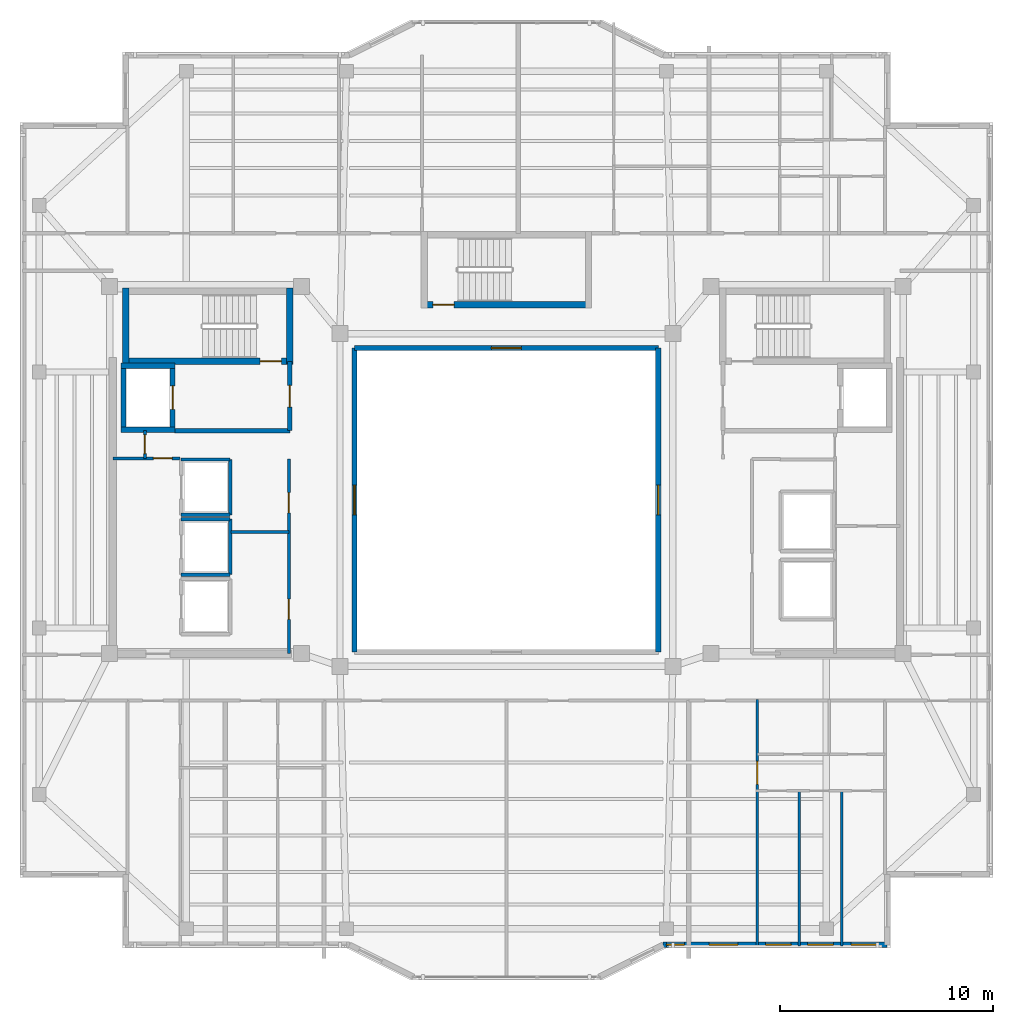
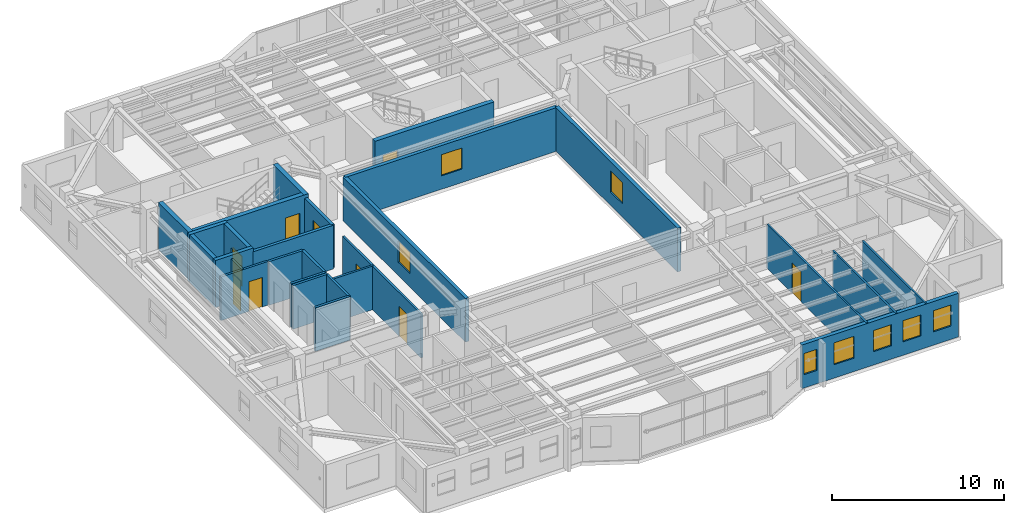
# One storey, part 7 of 14: 27 walls, 9 doors, 8 windows, 17 openings.
"""IFC4 building model written with IfcOpenShell, lengths in metres."""

import ifcopenshell
import ifcopenshell.guid

model = None  # the IFC model being written
_history = None  # IfcOwnerHistory: only IFC2X3 demands one
_inside = {}  # id of a spatial element -> (the spatial element, [elements in it])
_under = {}  # id of a project, library or spatial element -> (it, [spatial elements below it])
_declared = {}  # id of a project -> (the project, [libraries it declares])
_typed = {}  # id of a type object -> (the type object, [elements of that type])
_made_of = {}  # id of a material, layer set ... -> (it, [elements and type objects made of it])


def new_model(schema):
    """Start an empty IFC model of exactly this schema.

    Asked for "IFC4X3", IfcOpenShell would pick the latest addendum, in which some entities
    have other attributes; the version numbers below select the first issue.
    IFC2X3 requires an IfcOwnerHistory on every rooted entity: one is made here for all.
    """
    global model, _history
    if schema == "IFC4X3":
        model = ifcopenshell.file(schema_version=(4, 3, 0, 0))
    else:
        model = ifcopenshell.file(schema=schema)
    _inside.clear()
    _under.clear()
    _declared.clear()
    _typed.clear()
    _made_of.clear()
    _history = None
    if model.schema == "IFC2X3":
        org = make("IfcOrganization", Name="unknown")
        user = make(
            "IfcPersonAndOrganization",
            ThePerson=make("IfcPerson", FamilyName="unknown"),
            TheOrganization=org,
        )
        app = make(
            "IfcApplication",
            ApplicationDeveloper=org,
            Version="unknown",
            ApplicationFullName="unknown",
            ApplicationIdentifier="unknown",
        )
        _history = make(
            "IfcOwnerHistory",
            OwningUser=user,
            OwningApplication=app,
            ChangeAction="ADDED",
            CreationDate=0,
        )
    return model


def make(cls, **values):
    """One entity of the class cls with the attributes given. An attribute that is None is left unset."""
    return model.create_entity(
        cls, **{name: value for name, value in values.items() if value is not None}
    )


def rooted(cls, **values):
    """An entity with a GlobalId (a new one), such as an element, a storey or a relation."""
    return make(cls, GlobalId=ifcopenshell.guid.new(), OwnerHistory=_history, **values)


def si_unit(unit_type, name, prefix=None):
    """IfcSIUnit, for example si_unit("LENGTHUNIT", "METRE", prefix="MILLI")."""
    return make("IfcSIUnit", UnitType=unit_type, Prefix=prefix, Name=name)


def assignment(units):
    """IfcUnitAssignment: the units of a project."""
    return None if units is None else make("IfcUnitAssignment", Units=units)


def point(xyz):
    """IfcCartesianPoint."""
    return None if xyz is None else make("IfcCartesianPoint", Coordinates=xyz)


def direction(xyz):
    """IfcDirection."""
    return None if xyz is None else make("IfcDirection", DirectionRatios=xyz)


def frame(location, z_axis=None, x_axis=None):
    """IfcAxis2Placement3D, a coordinate frame: its origin and axes. An axis left out is left unset."""
    return make(
        "IfcAxis2Placement3D",
        Location=point(location),
        Axis=direction(z_axis),
        RefDirection=direction(x_axis),
    )


def frame_2d(location, x_axis=None):
    """IfcAxis2Placement2D, a coordinate frame in the plane: its origin and x axis."""
    return make(
        "IfcAxis2Placement2D", Location=point(location), RefDirection=direction(x_axis)
    )


def origin():
    """The frame at (0, 0, 0) with its axes left unset."""
    return frame((0.0, 0.0, 0.0))


def place(relative_to, where):
    """IfcLocalPlacement: puts the frame where relative to a parent placement (None: the world)."""
    return make(
        "IfcLocalPlacement", PlacementRelTo=relative_to, RelativePlacement=where
    )


def context(
    kind, dimensions, precision=None, world=None, true_north=None, identifier=None
):
    """IfcGeometricRepresentationContext, for example the 3D "Model" context."""
    return make(
        "IfcGeometricRepresentationContext",
        ContextIdentifier=identifier,
        ContextType=kind,
        CoordinateSpaceDimension=dimensions,
        Precision=precision,
        WorldCoordinateSystem=world,
        TrueNorth=true_north,
    )


def subcontext(parent, identifier, kind, view, scale=None):
    """IfcGeometricRepresentationSubContext, for example "Body" below "Model"."""
    return make(
        "IfcGeometricRepresentationSubContext",
        ContextIdentifier=identifier,
        ContextType=kind,
        ParentContext=parent,
        TargetScale=scale,
        TargetView=view,
    )


def project(units=None, contexts=None):
    """IfcProject with its units and contexts."""
    return rooted(
        "IfcProject",
        Name="project",
        RepresentationContexts=contexts,
        UnitsInContext=assignment(units),
    )


def spatial(cls, under=None, at=None, **own):
    """A site, building, storey or space (cls), placed at a placement, below another one or the project."""
    s = rooted(cls, ObjectPlacement=at, **own)
    if under is not None:
        _under.setdefault(under.id(), (under, []))[1].append(s)
    return s


def profile(cls, at=None, kind="AREA", **sizes):
    """A parametric profile (cls). Its sizes go by their IFC names, for example OverallWidth=200.0."""
    return make(cls, ProfileType=kind, Position=at, **sizes)


def rectangle(**sizes):
    """IfcRectangleProfileDef."""
    return profile("IfcRectangleProfileDef", **sizes)


def extrude(swept, where, along, depth):
    """IfcExtrudedAreaSolid: the profile swept, set in the frame where, extruded along a direction by depth."""
    return make(
        "IfcExtrudedAreaSolid",
        SweptArea=swept,
        Position=where,
        ExtrudedDirection=direction(along),
        Depth=depth,
    )


def shape(context_of_items, identifier, shape_type, items):
    """IfcShapeRepresentation: the items that make up one representation, for example the "Body"."""
    return make(
        "IfcShapeRepresentation",
        ContextOfItems=context_of_items,
        RepresentationIdentifier=identifier,
        RepresentationType=shape_type,
        Items=items,
    )


def material(Name=None, Category=None):
    """IfcMaterial."""
    return make("IfcMaterial", Name=Name, Category=Category)


def layer(
    of_material, thickness, ventilated=None, Name=None, Category=None, Priority=None
):
    """IfcMaterialLayer: one layer of a wall or slab, of a material (None: an air gap)."""
    return make(
        "IfcMaterialLayer",
        Material=of_material,
        LayerThickness=thickness,
        IsVentilated=ventilated,
        Name=Name,
        Category=Category,
        Priority=Priority,
    )


def layer_set(layers, Name=None):
    """IfcMaterialLayerSet."""
    return make("IfcMaterialLayerSet", MaterialLayers=layers, LayerSetName=Name)


def made_of(thing, what):
    """Note that an element or type object is made of a material, layer set ...; save() writes the relation."""
    if what is not None:
        _made_of.setdefault(what.id(), (what, []))[1].append(thing)
    return thing


def type_object(cls, material=None, **own):
    """A type object (cls), such as IfcWallType, which elements share."""
    return made_of(rooted(cls, **own), material)


def element(
    cls,
    number,
    at=None,
    inside=None,
    cuts=None,
    type_object=None,
    material=None,
    context=None,
    identifier="Body",
    shape_type=None,
    held_by="IfcProductDefinitionShape",
    body=None,
    shapes=None,
    **own,
):
    """One element of the class cls, such as IfcWall. Its Tag is "e" and its number.

    at: its placement. inside: the storey or other place that contains it. cuts: it is an
    opening in that element (IfcRelVoidsElement). A single representation is given by context,
    identifier, shape_type and body (its items); several are given by shapes. held_by: the class
    of the entity that holds the representations. save() writes the other relations.
    """
    e = rooted(cls, Tag="e%d" % number, ObjectPlacement=at, **own)
    if body is not None:
        shapes = [shape(context, identifier, shape_type, body)]
    if shapes is not None:
        e.Representation = make(held_by, Representations=shapes)
    if inside is not None:
        _inside.setdefault(inside.id(), (inside, []))[1].append(e)
    if cuts is not None:
        rooted(
            "IfcRelVoidsElement", RelatingBuildingElement=cuts, RelatedOpeningElement=e
        )
    if type_object is not None:
        _typed.setdefault(type_object.id(), (type_object, []))[1].append(e)
    return made_of(e, material)


def fill(opening, filler):
    """IfcRelFillsElement: the door or window that sits in an opening."""
    return rooted(
        "IfcRelFillsElement",
        RelatingOpeningElement=opening,
        RelatedBuildingElement=filler,
    )


def aggregate(whole, parts):
    """IfcRelAggregates: a whole, such as a stair, and the parts it consists of."""
    return rooted("IfcRelAggregates", RelatingObject=whole, RelatedObjects=parts)


def save(model, path):
    """Write the relations noted so far, then the file.

    IfcRelAggregates (storeys below a building ...), IfcRelContainedInSpatialStructure (elements
    in a storey), IfcRelDefinesByType, IfcRelAssociatesMaterial and IfcRelDeclares: one each for
    every whole, place, type object, material and project.
    """
    for whole, parts in _under.values():
        aggregate(whole, parts)
    for where, things in _inside.values():
        rooted(
            "IfcRelContainedInSpatialStructure",
            RelatedElements=things,
            RelatingStructure=where,
        )
    for kind, things in _typed.values():
        rooted("IfcRelDefinesByType", RelatedObjects=things, RelatingType=kind)
    for what, things in _made_of.values():
        rooted("IfcRelAssociatesMaterial", RelatedObjects=things, RelatingMaterial=what)
    for by, libraries in _declared.values():
        rooted("IfcRelDeclares", RelatingContext=by, RelatedDefinitions=libraries)
    model.write(path)


model = new_model("IFC4")

# Units and contexts
model_context = context("Model", 3, precision=1e-05, world=origin(), true_north=direction((0.0, 1.0)))
body_context = subcontext(model_context, "Body", "Model", "MODEL_VIEW")
ifc_project = project(units=[si_unit("LENGTHUNIT", "METRE"), si_unit("AREAUNIT", "SQUARE_METRE"), si_unit("VOLUMEUNIT", "CUBIC_METRE"), si_unit("PLANEANGLEUNIT", "RADIAN"), si_unit("MASSUNIT", "GRAM", prefix="KILO")], contexts=[model_context])

# Site, building, storey
site_placement = place(None, origin())
site = spatial("IfcSite", under=ifc_project, at=site_placement, CompositionType="ELEMENT")
building_placement = place(site_placement, origin())
building = spatial("IfcBuilding", under=site, at=building_placement, Name="Tarnavaz Court Tower", CompositionType="ELEMENT")
storey_placement = place(building_placement, frame((0.0, 0.0, 254.89990234375)))
storey = spatial("IfcBuildingStorey", under=building, at=storey_placement, Name="L69", CompositionType="ELEMENT", Elevation=254.89990234375)

# Wall
ifc_material_1 = material(Name="Concrete C50/60", Category="concrete")
ifc_layer_1 = layer(ifc_material_1, 0.25)
ifc_layer_set_1 = layer_set([ifc_layer_1], Name="Concrete C50/60")
wall_type_1 = type_object("IfcWallType", Name="WL-CORE-250-C50", PredefinedType="SHEAR", material=ifc_layer_set_1)
wall_1_placement = place(storey_placement, frame((-17.949951171875, 3.175048828125, 0.0), z_axis=(0.0, 0.0, 1.0), x_axis=(0.0, 1.0, 0.0)))
element("IfcWall", 1, at=wall_1_placement, inside=storey, type_object=wall_type_1, Name="L69 Lift FL-W1 Shaft Wall 017", PredefinedType="SHEAR", context=body_context, shape_type="SweptSolid", body=[
    extrude(rectangle(XDim=3.25, YDim=0.25, at=frame_2d((1.625, 0.0))), origin(), (0.0, 0.0, 1.0), 3.35009765625),
])

# Wall, opening, door
wall_2_placement = place(storey_placement, frame((-15.64990234375, 3.175048828125, 0.0), z_axis=(0.0, 0.0, 1.0), x_axis=(0.0, 1.0, 0.0)))
wall_2 = element("IfcWall", 2, at=wall_2_placement, inside=storey, type_object=wall_type_1, Name="L69 Lift FL-W1 Shaft Wall 018", PredefinedType="SHEAR", context=body_context, shape_type="SweptSolid", body=[
    extrude(rectangle(XDim=3.25, YDim=0.25, at=frame_2d((1.625, 0.0))), origin(), (0.0, 0.0, 1.0), 3.35009765625),
])
opening_1_placement = place(wall_2_placement, frame((1.074951171875, 0.0, 0.0)))
opening_1 = element("IfcOpeningElement", 3, at=opening_1_placement, cuts=wall_2, Name="Opening LD1", PredefinedType="OPENING", context=body_context, shape_type="SweptSolid", body=[
    extrude(rectangle(XDim=1.10009765625, YDim=2.14990234375, at=frame_2d((0.550048828125, 1.074951171875))), frame((0.0, 0.135009765625, 0.0), z_axis=(0.0, -1.0, 0.0), x_axis=(1.0, 0.0, 0.0)), (0.0, 0.0, 1.0), 0.27001953125),
])
ifc_material_2 = material(Name="Stainless Steel", Category="steel")
door_type_1 = type_object("IfcDoorType", Name="DR-LD-1100", OperationType="NOTDEFINED", PredefinedType="DOOR", material=ifc_material_2)
door_1_placement = place(opening_1_placement, origin())
door_1 = element("IfcDoor", 4, at=door_1_placement, inside=storey, type_object=door_type_1, Name="L69 Lift Landing Door LD-FL-W1", OperationType="SLIDING_TO_LEFT", OverallHeight=2.14990234375, OverallWidth=1.10009765625, PredefinedType="DOOR", context=body_context, shape_type="SweptSolid", body=[
    extrude(rectangle(XDim=1.10009765625, YDim=2.14990234375, at=frame_2d((0.550048828125, 1.074951171875))), frame((0.0, 0.02490234375, 0.0), z_axis=(0.0, -1.0, 0.0), x_axis=(1.0, 0.0, 0.0)), (0.0, 0.0, 1.0), 0.050048828125),
])
fill(opening_1, door_1)

# Walls
for number, where, z_axis, x_axis, name in (
    (5, (-18.074951171875, 3.300048828125, 0.0), (0.0, 0.0, 1.0), (1.0, 0.0, 0.0), "L69 Lift FL-W1 Shaft Wall 019"),
    (6, (-18.074951171875, 6.300048828125, 0.0), (0.0, 0.0, 1.0), (1.0, 0.0, 0.0), "L69 Lift FL-W1 Shaft Wall 020"),
):
    element("IfcWall", number, at=place(storey_placement, frame(where, z_axis=z_axis, x_axis=x_axis)), inside=storey, type_object=wall_type_1, Name=name, PredefinedType="SHEAR", context=body_context, shape_type="SweptSolid", body=[
        extrude(rectangle(XDim=2.550048828125, YDim=0.25, at=frame_2d((1.27490234375, 0.0))), origin(), (0.0, 0.0, 1.0), 3.35009765625),
    ])

# Wall, opening, door
ifc_layer_2 = layer(ifc_material_1, 0.300048828125)
ifc_layer_set_2 = layer_set([ifc_layer_2], Name="Concrete C50/60")
wall_type_2 = type_object("IfcWallType", Name="WL-CORE-300-C50", PredefinedType="SHEAR", material=ifc_layer_set_2)
wall_3_placement = place(storey_placement, frame((-18.0, 6.5, 0.0), z_axis=(0.0, 0.0, 1.0), x_axis=(1.0, 0.0, 0.0)))
wall_3 = element("IfcWall", 7, at=wall_3_placement, inside=storey, type_object=wall_type_2, Name="L69 West Stair Core Wall 002", PredefinedType="SHEAR", context=body_context, shape_type="SweptSolid", body=[
    extrude(rectangle(XDim=8.0, YDim=0.300048828125, at=frame_2d((4.0, 0.0))), origin(), (0.0, 0.0, 1.0), 3.35009765625),
])
opening_2_placement = place(wall_3_placement, frame((6.449951171875, 0.0, 0.0)))
opening_2 = element("IfcOpeningElement", 8, at=opening_2_placement, cuts=wall_3, Name="Opening D01", PredefinedType="OPENING", context=body_context, shape_type="SweptSolid", body=[
    extrude(rectangle(XDim=1.0, YDim=2.14990234375, at=frame_2d((0.5, 1.074951171875))), frame((0.0, 0.159912109375, 0.0), z_axis=(0.0, -1.0, 0.0), x_axis=(1.0, 0.0, 0.0)), (0.0, 0.0, 1.0), 0.320068359375),
])
ifc_material_3 = material(Name="Fire-Rated Hardwood Timber Core", Category="wood")
door_type_2 = type_object("IfcDoorType", Name="DR-FD90-1000", OperationType="NOTDEFINED", PredefinedType="DOOR", material=ifc_material_3)
door_2_placement = place(opening_2_placement, origin())
door_2 = element("IfcDoor", 9, at=door_2_placement, inside=storey, type_object=door_type_2, Name="L69 Stair ST-W1 Exit Door", OperationType="SINGLE_SWING_LEFT", OverallHeight=2.14990234375, OverallWidth=1.0, PredefinedType="DOOR", context=body_context, shape_type="SweptSolid", body=[
    extrude(rectangle(XDim=1.0, YDim=2.14990234375, at=frame_2d((0.5, 1.074951171875))), frame((0.0, 0.02490234375, 0.0), z_axis=(0.0, -1.0, 0.0), x_axis=(1.0, 0.0, 0.0)), (0.0, 0.0, 1.0), 0.050048828125),
])
fill(opening_2, door_2)

# Walls
for number, where, z_axis, x_axis, name in (
    (10, (-17.85009765625, 6.35009765625, 0.0), (0.0, 0.0, 1.0), (0.0, 1.0, 0.0), "L69 West Stair Core Wall 003"),
    (11, (-10.14990234375, 6.35009765625, 0.0), (0.0, 0.0, 1.0), (0.0, 1.0, 0.0), "L69 West Stair Core Wall 004"),
):
    element("IfcWall", number, at=place(storey_placement, frame(where, z_axis=z_axis, x_axis=x_axis)), inside=storey, type_object=wall_type_2, Name=name, PredefinedType="SHEAR", context=body_context, shape_type="SweptSolid", body=[
        extrude(rectangle(XDim=3.58984375, YDim=0.300048828125, at=frame_2d((1.794921875, 0.0))), origin(), (0.0, 0.0, 1.0), 3.35009765625),
    ])

# Wall, opening, door
wall_4_placement = place(storey_placement, frame((-4.0, 9.14990234375, 0.0), z_axis=(0.0, 0.0, 1.0), x_axis=(1.0, 0.0, 0.0)))
wall_4 = element("IfcWall", 12, at=wall_4_placement, inside=storey, type_object=wall_type_2, Name="L69 North Stair Core Wall 010", PredefinedType="SHEAR", context=body_context, shape_type="SweptSolid", body=[
    extrude(rectangle(XDim=8.0, YDim=0.300048828125, at=frame_2d((4.0, 0.0))), origin(), (0.0, 0.0, 1.0), 3.35009765625),
])
opening_3_placement = place(wall_4_placement, frame((0.550048828125, 0.0, 0.0)))
opening_3 = element("IfcOpeningElement", 13, at=opening_3_placement, cuts=wall_4, Name="Opening D01", PredefinedType="OPENING", context=body_context, shape_type="SweptSolid", body=[
    extrude(rectangle(XDim=1.0, YDim=2.14990234375, at=frame_2d((0.5, 1.074951171875))), frame((0.0, 0.159912109375, 0.0), z_axis=(0.0, -1.0, 0.0), x_axis=(1.0, 0.0, 0.0)), (0.0, 0.0, 1.0), 0.320068359375),
])
door_3_placement = place(opening_3_placement, origin())
door_3 = element("IfcDoor", 14, at=door_3_placement, inside=storey, type_object=door_type_2, Name="L69 Stair ST-N1 Exit Door", OperationType="SINGLE_SWING_LEFT", OverallHeight=2.14990234375, OverallWidth=1.0, PredefinedType="DOOR", context=body_context, shape_type="SweptSolid", body=[
    extrude(rectangle(XDim=1.0, YDim=2.14990234375, at=frame_2d((0.5, 1.074951171875))), frame((0.0, 0.02490234375, 0.0), z_axis=(0.0, -1.0, 0.0), x_axis=(1.0, 0.0, 0.0)), (0.0, 0.0, 1.0), 0.050048828125),
])
fill(opening_3, door_3)

# Wall, openings, windows
ifc_material_4 = material(Name="Precast Concrete C40/50", Category="concrete")
ifc_layer_3 = layer(ifc_material_4, 0.260009765625)
ifc_layer_set_3 = layer_set([ifc_layer_3], Name="Precast Concrete C40/50")
wall_type_3 = type_object("IfcWallType", Name="WL-EXT-260", PredefinedType="SOLIDWALL", material=ifc_layer_set_3)
wall_5_placement = place(storey_placement, frame((17.85009765625, -20.85009765625, 0.0), z_axis=(0.0, 0.0, 1.0), x_axis=(-1.0, 0.0, 0.0)))
wall_5 = element("IfcWall", 15, at=wall_5_placement, inside=storey, type_object=wall_type_3, Name="L69 Exterior Terracotta Facade Wall 15", PredefinedType="SOLIDWALL", context=body_context, shape_type="SweptSolid", body=[
    extrude(rectangle(XDim=10.5, YDim=0.260009765625, at=frame_2d((5.25, 0.0))), origin(), (0.0, 0.0, 1.0), 3.10009765625),
])
opening_4_placement = place(wall_5_placement, frame((0.488525390625, 0.0, 0.949951171875)))
opening_4 = element("IfcOpeningElement", 16, at=opening_4_placement, cuts=wall_5, Name="Opening W05", PredefinedType="OPENING", context=body_context, shape_type="SweptSolid", body=[
    extrude(rectangle(XDim=1.199951171875, YDim=1.5, at=frame_2d((0.60009765625, 0.75))), frame((0.0, 0.139892578125, 0.0), z_axis=(0.0, -1.0, 0.0), x_axis=(1.0, 0.0, 0.0)), (0.0, 0.0, 1.0), 0.280029296875),
])
opening_5_placement = place(wall_5_placement, frame((2.52490234375, 0.0, 0.949951171875)))
opening_5 = element("IfcOpeningElement", 17, at=opening_5_placement, cuts=wall_5, Name="Opening W05", PredefinedType="OPENING", context=body_context, shape_type="SweptSolid", body=[
    extrude(rectangle(XDim=1.199951171875, YDim=1.5, at=frame_2d((0.60009765625, 0.75))), frame((0.0, 0.139892578125, 0.0), z_axis=(0.0, -1.0, 0.0), x_axis=(1.0, 0.0, 0.0)), (0.0, 0.0, 1.0), 0.280029296875),
])
opening_6_placement = place(wall_5_placement, frame((4.50146484375, 0.0, 0.949951171875)))
opening_6 = element("IfcOpeningElement", 18, at=opening_6_placement, cuts=wall_5, Name="Opening W05", PredefinedType="OPENING", context=body_context, shape_type="SweptSolid", body=[
    extrude(rectangle(XDim=1.199951171875, YDim=1.5, at=frame_2d((0.60009765625, 0.75))), frame((0.0, 0.139892578125, 0.0), z_axis=(0.0, -1.0, 0.0), x_axis=(1.0, 0.0, 0.0)), (0.0, 0.0, 1.0), 0.280029296875),
])
opening_7_placement = place(wall_5_placement, frame((7.0, 0.0, 0.949951171875)))
opening_7 = element("IfcOpeningElement", 19, at=opening_7_placement, cuts=wall_5, Name="Opening W04", PredefinedType="OPENING", context=body_context, shape_type="SweptSolid", body=[
    extrude(rectangle(XDim=1.35009765625, YDim=1.550048828125, at=frame_2d((0.675048828125, 0.77490234375))), frame((0.0, 0.139892578125, 0.0), z_axis=(0.0, -1.0, 0.0), x_axis=(1.0, 0.0, 0.0)), (0.0, 0.0, 1.0), 0.280029296875),
])
opening_8_placement = place(wall_5_placement, frame((9.5048828125, 0.0, 0.949951171875)))
opening_8 = element("IfcOpeningElement", 20, at=opening_8_placement, cuts=wall_5, Name="Opening W15", PredefinedType="OPENING", context=body_context, shape_type="SweptSolid", body=[
    extrude(rectangle(XDim=0.85009765625, YDim=1.5, at=frame_2d((0.425048828125, 0.75))), frame((0.0, 0.139892578125, 0.0), z_axis=(0.0, -1.0, 0.0), x_axis=(1.0, 0.0, 0.0)), (0.0, 0.0, 1.0), 0.280029296875),
])
ifc_material_5 = material(Name="Double-Glazed Solar Low-E Glass", Category="glass")
window_type_1 = type_object("IfcWindowType", Name="WN-APT-1200", PartitioningType="SINGLE_PANEL", PredefinedType="WINDOW", material=ifc_material_5)
window_1_placement = place(opening_4_placement, origin())
window_1 = element("IfcWindow", 21, at=window_1_placement, inside=storey, type_object=window_type_1, Name="L69 Flat 05 Bedroom 3 Window", OverallHeight=1.5, OverallWidth=1.199951171875, PartitioningType="SINGLE_PANEL", PredefinedType="WINDOW", context=body_context, shape_type="SweptSolid", body=[
    extrude(rectangle(XDim=1.199951171875, YDim=1.5, at=frame_2d((0.60009765625, 0.75))), frame((0.0, 0.030029296875, 0.0), z_axis=(0.0, -1.0, 0.0), x_axis=(1.0, 0.0, 0.0)), (0.0, 0.0, 1.0), 0.06005859375),
])
fill(opening_4, window_1)
window_2_placement = place(opening_5_placement, origin())
window_2 = element("IfcWindow", 22, at=window_2_placement, inside=storey, type_object=window_type_1, Name="L69 Flat 05 Bedroom 2 Window", OverallHeight=1.5, OverallWidth=1.199951171875, PartitioningType="SINGLE_PANEL", PredefinedType="WINDOW", context=body_context, shape_type="SweptSolid", body=[
    extrude(rectangle(XDim=1.199951171875, YDim=1.5, at=frame_2d((0.60009765625, 0.75))), frame((0.0, 0.030029296875, 0.0), z_axis=(0.0, -1.0, 0.0), x_axis=(1.0, 0.0, 0.0)), (0.0, 0.0, 1.0), 0.06005859375),
])
fill(opening_5, window_2)
window_3_placement = place(opening_6_placement, origin())
window_3 = element("IfcWindow", 23, at=window_3_placement, inside=storey, type_object=window_type_1, Name="L69 Flat 05 Principal Bedroom Window", OverallHeight=1.5, OverallWidth=1.199951171875, PartitioningType="SINGLE_PANEL", PredefinedType="WINDOW", context=body_context, shape_type="SweptSolid", body=[
    extrude(rectangle(XDim=1.199951171875, YDim=1.5, at=frame_2d((0.60009765625, 0.75))), frame((0.0, 0.030029296875, 0.0), z_axis=(0.0, -1.0, 0.0), x_axis=(1.0, 0.0, 0.0)), (0.0, 0.0, 1.0), 0.06005859375),
])
fill(opening_6, window_3)
window_type_2 = type_object("IfcWindowType", Name="WN-APT-1350", PartitioningType="SINGLE_PANEL", PredefinedType="WINDOW", material=ifc_material_5)
window_4_placement = place(opening_7_placement, origin())
window_4 = element("IfcWindow", 24, at=window_4_placement, inside=storey, type_object=window_type_2, Name="L69 Flat 05 Living and Dining Room Window", OverallHeight=1.550048828125, OverallWidth=1.35009765625, PartitioningType="SINGLE_PANEL", PredefinedType="WINDOW", context=body_context, shape_type="SweptSolid", body=[
    extrude(rectangle(XDim=1.35009765625, YDim=1.550048828125, at=frame_2d((0.675048828125, 0.77490234375))), frame((0.0, 0.030029296875, 0.0), z_axis=(0.0, -1.0, 0.0), x_axis=(1.0, 0.0, 0.0)), (0.0, 0.0, 1.0), 0.06005859375),
])
fill(opening_7, window_4)
window_type_3 = type_object("IfcWindowType", Name="WN-APT-850", PartitioningType="SINGLE_PANEL", PredefinedType="WINDOW", material=ifc_material_5)
window_5_placement = place(opening_8_placement, origin())
window_5 = element("IfcWindow", 25, at=window_5_placement, inside=storey, type_object=window_type_3, Name="L69 South Courtyard Reading Room Window", OverallHeight=1.5, OverallWidth=0.85009765625, PartitioningType="SINGLE_PANEL", PredefinedType="WINDOW", context=body_context, shape_type="SweptSolid", body=[
    extrude(rectangle(XDim=0.85009765625, YDim=1.5, at=frame_2d((0.425048828125, 0.75))), frame((0.0, 0.030029296875, 0.0), z_axis=(0.0, -1.0, 0.0), x_axis=(1.0, 0.0, 0.0)), (0.0, 0.0, 1.0), 0.06005859375),
])
fill(opening_8, window_5)

# Wall
ifc_material_6 = material(Name="Autoclaved Aerated Concrete Blockwork", Category="masonry")
ifc_layer_4 = layer(ifc_material_6, 0.199951171875)
ifc_layer_set_4 = layer_set([ifc_layer_4], Name="Autoclaved Aerated Concrete Blockwork")
wall_type_4 = type_object("IfcWallType", Name="WL-FIRE-200", PredefinedType="SOLIDWALL", material=ifc_layer_set_4)
wall_6_placement = place(storey_placement, frame((-15.550048828125, 3.25, 0.0), z_axis=(0.0, 0.0, 1.0), x_axis=(1.0, 0.0, 0.0)))
element("IfcWall", 26, at=wall_6_placement, inside=storey, type_object=wall_type_4, Name="L69 West Firefighting Lobby Wall 013", PredefinedType="SOLIDWALL", context=body_context, shape_type="SweptSolid", body=[
    extrude(rectangle(XDim=5.400146484375, YDim=0.199951171875, at=frame_2d((2.7001953125, 0.0))), origin(), (0.0, 0.0, 1.0), 3.10009765625),
])

# Wall, opening, door
wall_7_placement = place(storey_placement, frame((-10.14990234375, 3.25, 0.0), z_axis=(0.0, 0.0, 1.0), x_axis=(0.0, 1.0, 0.0)))
wall_7 = element("IfcWall", 27, at=wall_7_placement, inside=storey, type_object=wall_type_4, Name="L69 West Firefighting Lobby Wall 014", PredefinedType="SOLIDWALL", context=body_context, shape_type="SweptSolid", body=[
    extrude(rectangle(XDim=3.25, YDim=0.199951171875, at=frame_2d((1.625, 0.0))), origin(), (0.0, 0.0, 1.0), 3.10009765625),
])
opening_9_placement = place(wall_7_placement, frame((1.10009765625, 0.0, 0.0)))
opening_9 = element("IfcOpeningElement", 28, at=opening_9_placement, cuts=wall_7, Name="Opening D05", PredefinedType="OPENING", context=body_context, shape_type="SweptSolid", body=[
    extrude(rectangle(XDim=1.02001953125, YDim=2.14990234375, at=frame_2d((0.510009765625, 1.074951171875))), frame((0.0, 0.10986328125, 0.0), z_axis=(0.0, -1.0, 0.0), x_axis=(1.0, 0.0, 0.0)), (0.0, 0.0, 1.0), 0.219970703125),
])
door_type_3 = type_object("IfcDoorType", Name="DR-FD60-1000", OperationType="NOTDEFINED", PredefinedType="DOOR", material=ifc_material_3)
door_4_placement = place(opening_9_placement, origin())
door_4 = element("IfcDoor", 29, at=door_4_placement, inside=storey, type_object=door_type_3, Name="L69 West Firefighting Lobby Door", OperationType="SINGLE_SWING_RIGHT", OverallHeight=2.14990234375, OverallWidth=1.02001953125, PredefinedType="DOOR", context=body_context, shape_type="SweptSolid", body=[
    extrude(rectangle(XDim=1.02001953125, YDim=2.14990234375, at=frame_2d((0.510009765625, 1.074951171875))), frame((0.0, 0.02490234375, 0.0), z_axis=(0.0, -1.0, 0.0), x_axis=(1.0, 0.0, 0.0)), (0.0, 0.0, 1.0), 0.050048828125),
])
fill(opening_9, door_4)

ifc_material_7 = material(Name="Moisture-Resistant Gypsum Board Partition", Category="masonry")
ifc_layer_5 = layer(ifc_material_7, 0.1201171875)
ifc_layer_set_5 = layer_set([ifc_layer_5], Name="Moisture-Resistant Gypsum Board Partition")
wall_type_5 = type_object("IfcWallType", Name="WL-PART-120", PredefinedType="PARTITIONING", material=ifc_layer_set_5)
wall_8_placement = place(storey_placement, frame((11.760009765625, -20.89990234375, 0.0), z_axis=(0.0, 0.0, 1.0), x_axis=(0.0, 1.0, 0.0)))
wall_8 = element("IfcWall", 30, at=wall_8_placement, inside=storey, type_object=wall_type_5, Name="L69 Interior Partition 085", PredefinedType="PARTITIONING", context=body_context, shape_type="SweptSolid", body=[
    extrude(rectangle(XDim=11.559814453125, YDim=0.1201171875, at=frame_2d((5.77978515625, 0.0))), origin(), (0.0, 0.0, 1.0), 3.10009765625),
])
opening_10_placement = place(wall_8_placement, frame((7.56494140625, 0.0, 0.0)))
opening_10 = element("IfcOpeningElement", 31, at=opening_10_placement, cuts=wall_8, Name="Opening D12", PredefinedType="OPENING", context=body_context, shape_type="SweptSolid", body=[
    extrude(rectangle(XDim=1.080078125, YDim=2.14990234375, at=frame_2d((0.5400390625, 1.074951171875))), frame((0.0, 0.070068359375, 0.0), z_axis=(0.0, -1.0, 0.0), x_axis=(1.0, 0.0, 0.0)), (0.0, 0.0, 1.0), 0.14013671875),
])
ifc_material_8 = material(Name="Engineered Oak Timber", Category="wood")
door_type_4 = type_object("IfcDoorType", Name="DR-INT-1100", OperationType="NOTDEFINED", PredefinedType="DOOR", material=ifc_material_8)
door_5_placement = place(opening_10_placement, origin())
door_5 = element("IfcDoor", 32, at=door_5_placement, inside=storey, type_object=door_type_4, Name="L69 Flat 05 Foyer Door", OperationType="SINGLE_SWING_RIGHT", OverallHeight=2.14990234375, OverallWidth=1.080078125, PredefinedType="DOOR", context=body_context, shape_type="SweptSolid", body=[
    extrude(rectangle(XDim=1.080078125, YDim=2.14990234375, at=frame_2d((0.5400390625, 1.074951171875))), frame((0.0, 0.02490234375, 0.0), z_axis=(0.0, -1.0, 0.0), x_axis=(1.0, 0.0, 0.0)), (0.0, 0.0, 1.0), 0.050048828125),
])
fill(opening_10, door_5)

# Walls
for number, where, z_axis, x_axis, name in (
    (33, (13.737060546875, -20.89990234375, 0.0), (0.0, 0.0, 1.0), (0.0, 1.0, 0.0), "L69 Interior Partition 090"),
    (34, (15.712890625, -20.89990234375, 0.0), (0.0, 0.0, 1.0), (0.0, 1.0, 0.0), "L69 Interior Partition 091"),
):
    element("IfcWall", number, at=place(storey_placement, frame(where, z_axis=z_axis, x_axis=x_axis)), inside=storey, type_object=wall_type_5, Name=name, PredefinedType="PARTITIONING", context=body_context, shape_type="SweptSolid", body=[
        extrude(rectangle(XDim=7.33984375, YDim=0.1201171875, at=frame_2d((3.669921875, 0.0))), origin(), (0.0, 0.0, 1.0), 3.10009765625),
    ])

# Wall, opening, door
ifc_material_9 = material(Name="Gypsum Plasterboard Acoustic Partition", Category="masonry")
ifc_layer_6 = layer(ifc_material_9, 0.139892578125)
ifc_layer_set_6 = layer_set([ifc_layer_6], Name="Gypsum Plasterboard Acoustic Partition")
wall_type_6 = type_object("IfcWallType", Name="WL-PART-150", PredefinedType="PARTITIONING", material=ifc_layer_set_6)
wall_9_placement = place(storey_placement, frame((-18.449951171875, 1.949951171875, 0.0), z_axis=(0.0, 0.0, 1.0), x_axis=(1.0, 0.0, 0.0)))
wall_9 = element("IfcWall", 35, at=wall_9_placement, inside=storey, type_object=wall_type_6, Name="L69 Interior Partition 049", PredefinedType="PARTITIONING", context=body_context, shape_type="SweptSolid", body=[
    extrude(rectangle(XDim=3.14990234375, YDim=0.139892578125, at=frame_2d((1.574951171875, 0.0))), origin(), (0.0, 0.0, 1.0), 3.10009765625),
])
opening_11_placement = place(wall_9_placement, frame((1.89990234375, 0.0, 0.0)))
opening_11 = element("IfcOpeningElement", 36, at=opening_11_placement, cuts=wall_9, Name="Opening D14", PredefinedType="OPENING", context=body_context, shape_type="SweptSolid", body=[
    extrude(rectangle(XDim=0.8798828125, YDim=2.10009765625, at=frame_2d((0.43994140625, 1.050048828125))), frame((0.0, 0.079833984375, 0.0), z_axis=(0.0, -1.0, 0.0), x_axis=(1.0, 0.0, 0.0)), (0.0, 0.0, 1.0), 0.159912109375),
])
door_type_5 = type_object("IfcDoorType", Name="DR-INT-900", OperationType="NOTDEFINED", PredefinedType="DOOR", material=ifc_material_8)
door_6_placement = place(opening_11_placement, origin())
door_6 = element("IfcDoor", 37, at=door_6_placement, inside=storey, type_object=door_type_5, Name="L69 West Sky Switchgear Door", OperationType="SINGLE_SWING_RIGHT", OverallHeight=2.10009765625, OverallWidth=0.8798828125, PredefinedType="DOOR", context=body_context, shape_type="SweptSolid", body=[
    extrude(rectangle(XDim=0.8798828125, YDim=2.10009765625, at=frame_2d((0.43994140625, 1.050048828125))), frame((0.0, 0.02490234375, 0.0), z_axis=(0.0, -1.0, 0.0), x_axis=(1.0, 0.0, 0.0)), (0.0, 0.0, 1.0), 0.050048828125),
])
fill(opening_11, door_6)

wall_10_placement = place(storey_placement, frame((-16.949951171875, 1.949951171875, 0.0), z_axis=(0.0, 0.0, 1.0), x_axis=(0.0, 1.0, 0.0)))
wall_10 = element("IfcWall", 38, at=wall_10_placement, inside=storey, type_object=wall_type_6, Name="L69 Interior Partition 050", PredefinedType="PARTITIONING", context=body_context, shape_type="SweptSolid", body=[
    extrude(rectangle(XDim=1.300048828125, YDim=0.139892578125, at=frame_2d((0.64990234375, 0.0))), origin(), (0.0, 0.0, 1.0), 3.10009765625),
])
opening_12_placement = place(wall_10_placement, frame((0.219970703125, 0.0, 0.0)))
opening_12 = element("IfcOpeningElement", 39, at=opening_12_placement, cuts=wall_10, Name="Opening D14", PredefinedType="OPENING", context=body_context, shape_type="SweptSolid", body=[
    extrude(rectangle(XDim=0.8798828125, YDim=2.10009765625, at=frame_2d((0.43994140625, 1.050048828125))), frame((0.0, 0.079833984375, 0.0), z_axis=(0.0, -1.0, 0.0), x_axis=(1.0, 0.0, 0.0)), (0.0, 0.0, 1.0), 0.159912109375),
])
door_7_placement = place(opening_12_placement, origin())
door_7 = element("IfcDoor", 40, at=door_7_placement, inside=storey, type_object=door_type_5, Name="L69 West Sky Telecom Door", OperationType="SINGLE_SWING_LEFT", OverallHeight=2.10009765625, OverallWidth=0.8798828125, PredefinedType="DOOR", context=body_context, shape_type="SweptSolid", body=[
    extrude(rectangle(XDim=0.8798828125, YDim=2.10009765625, at=frame_2d((0.43994140625, 1.050048828125))), frame((0.0, 0.02490234375, 0.0), z_axis=(0.0, -1.0, 0.0), x_axis=(1.0, 0.0, 0.0)), (0.0, 0.0, 1.0), 0.050048828125),
])
fill(opening_12, door_7)

# Wall, openings, doors
wall_11_placement = place(storey_placement, frame((-10.199951171875, -7.199951171875, 0.0), z_axis=(0.0, 0.0, 1.0), x_axis=(0.0, 1.0, 0.0)))
wall_11 = element("IfcWall", 41, at=wall_11_placement, inside=storey, type_object=wall_type_6, Name="L69 West Reclaimed Core Wall 051", PredefinedType="PARTITIONING", context=body_context, shape_type="SweptSolid", body=[
    extrude(rectangle(XDim=9.119873046875, YDim=0.139892578125, at=frame_2d((4.56005859375, 0.0))), origin(), (0.0, 0.0, 1.0), 3.10009765625),
])
opening_13_placement = place(wall_11_placement, frame((1.60009765625, 0.0, 0.0)))
opening_13 = element("IfcOpeningElement", 42, at=opening_13_placement, cuts=wall_11, Name="Opening D08", PredefinedType="OPENING", context=body_context, shape_type="SweptSolid", body=[
    extrude(rectangle(XDim=0.949951171875, YDim=2.1201171875, at=frame_2d((0.47509765625, 1.06005859375))), frame((0.0, 0.079833984375, 0.0), z_axis=(0.0, -1.0, 0.0), x_axis=(1.0, 0.0, 0.0)), (0.0, 0.0, 1.0), 0.159912109375),
])
opening_14_placement = place(wall_11_placement, frame((6.60009765625, 0.0, 0.0)))
opening_14 = element("IfcOpeningElement", 43, at=opening_14_placement, cuts=wall_11, Name="Opening D08", PredefinedType="OPENING", context=body_context, shape_type="SweptSolid", body=[
    extrude(rectangle(XDim=0.949951171875, YDim=2.1201171875, at=frame_2d((0.47509765625, 1.06005859375))), frame((0.0, 0.079833984375, 0.0), z_axis=(0.0, -1.0, 0.0), x_axis=(1.0, 0.0, 0.0)), (0.0, 0.0, 1.0), 0.159912109375),
])
door_type_6 = type_object("IfcDoorType", Name="DR-FD30-950", OperationType="NOTDEFINED", PredefinedType="DOOR", material=ifc_material_3)
door_8_placement = place(opening_13_placement, origin())
door_8 = element("IfcDoor", 44, at=door_8_placement, inside=storey, type_object=door_type_6, Name="L69 West Study Room Door", OperationType="SINGLE_SWING_RIGHT", OverallHeight=2.1201171875, OverallWidth=0.949951171875, PredefinedType="DOOR", context=body_context, shape_type="SweptSolid", body=[
    extrude(rectangle(XDim=0.949951171875, YDim=2.1201171875, at=frame_2d((0.47509765625, 1.06005859375))), frame((0.0, 0.02490234375, 0.0), z_axis=(0.0, -1.0, 0.0), x_axis=(1.0, 0.0, 0.0)), (0.0, 0.0, 1.0), 0.050048828125),
])
fill(opening_13, door_8)
door_9_placement = place(opening_14_placement, origin())
door_9 = element("IfcDoor", 45, at=door_9_placement, inside=storey, type_object=door_type_6, Name="L69 West Laundry Room Door", OperationType="SINGLE_SWING_LEFT", OverallHeight=2.1201171875, OverallWidth=0.949951171875, PredefinedType="DOOR", context=body_context, shape_type="SweptSolid", body=[
    extrude(rectangle(XDim=0.949951171875, YDim=2.1201171875, at=frame_2d((0.47509765625, 1.06005859375))), frame((0.0, 0.02490234375, 0.0), z_axis=(0.0, -1.0, 0.0), x_axis=(1.0, 0.0, 0.0)), (0.0, 0.0, 1.0), 0.050048828125),
])
fill(opening_14, door_9)

# Walls
wall_12_placement = place(storey_placement, frame((-12.89990234375, -1.5, 0.0), z_axis=(0.0, 0.0, 1.0), x_axis=(1.0, 0.0, 0.0)))
element("IfcWall", 46, at=wall_12_placement, inside=storey, type_object=wall_type_6, Name="L69 Interior Partition 052", PredefinedType="PARTITIONING", context=body_context, shape_type="SweptSolid", body=[
    extrude(rectangle(XDim=2.699951171875, YDim=0.139892578125, at=frame_2d((1.35009765625, 0.0))), origin(), (0.0, 0.0, 1.0), 3.10009765625),
])
ifc_layer_7 = layer(ifc_material_6, 0.159912109375)
ifc_layer_set_7 = layer_set([ifc_layer_7], Name="Autoclaved Aerated Concrete Blockwork")
wall_type_7 = type_object("IfcWallType", Name="WL-SHAFT-150", PredefinedType="SOLIDWALL", material=ifc_layer_set_7)
wall_13_placement = place(storey_placement, frame((-12.949951171875, -3.5, 0.0), z_axis=(0.0, 0.0, 1.0), x_axis=(0.0, 1.0, 0.0)))
element("IfcWall", 47, at=wall_13_placement, inside=storey, type_object=wall_type_7, Name="L69 Lift PL-H2 Shaft Wall 026", PredefinedType="SOLIDWALL", context=body_context, shape_type="SweptSolid", body=[
    extrude(rectangle(XDim=2.60009765625, YDim=0.159912109375, at=frame_2d((1.300048828125, 0.0))), origin(), (0.0, 0.0, 1.0), 3.10009765625),
])
for number, where, z_axis, x_axis, name in (
    (48, (-15.25, -3.5, 0.0), (0.0, 0.0, 1.0), (1.0, 0.0, 0.0), "L69 Lift PL-H2 Shaft Wall 027"),
    (49, (-15.25, -0.89990234375, 0.0), (0.0, 0.0, 1.0), (1.0, 0.0, 0.0), "L69 Lift PL-H2 Shaft Wall 028"),
):
    element("IfcWall", number, at=place(storey_placement, frame(where, z_axis=z_axis, x_axis=x_axis)), inside=storey, type_object=wall_type_7, Name=name, PredefinedType="SOLIDWALL", context=body_context, shape_type="SweptSolid", body=[
        extrude(rectangle(XDim=2.300048828125, YDim=0.159912109375, at=frame_2d((1.14990234375, 0.0))), origin(), (0.0, 0.0, 1.0), 3.10009765625),
    ])
wall_14_placement = place(storey_placement, frame((-12.949951171875, -0.699951171875, 0.0), z_axis=(0.0, 0.0, 1.0), x_axis=(0.0, 1.0, 0.0)))
element("IfcWall", 50, at=wall_14_placement, inside=storey, type_object=wall_type_7, Name="L69 Lift PL-H3 Shaft Wall 030", PredefinedType="SOLIDWALL", context=body_context, shape_type="SweptSolid", body=[
    extrude(rectangle(XDim=2.599853515625, YDim=0.159912109375, at=frame_2d((1.2998046875, 0.0))), origin(), (0.0, 0.0, 1.0), 3.10009765625),
])
for number, where, z_axis, x_axis, name in (
    (51, (-15.25, -0.699951171875, 0.0), (0.0, 0.0, 1.0), (1.0, 0.0, 0.0), "L69 Lift PL-H3 Shaft Wall 031"),
    (52, (-15.25, 1.89990234375, 0.0), (0.0, 0.0, 1.0), (1.0, 0.0, 0.0), "L69 Lift PL-H3 Shaft Wall 032"),
):
    element("IfcWall", number, at=place(storey_placement, frame(where, z_axis=z_axis, x_axis=x_axis)), inside=storey, type_object=wall_type_7, Name=name, PredefinedType="SOLIDWALL", context=body_context, shape_type="SweptSolid", body=[
        extrude(rectangle(XDim=2.300048828125, YDim=0.159912109375, at=frame_2d((1.14990234375, 0.0))), origin(), (0.0, 0.0, 1.0), 3.10009765625),
    ])

# Wall, opening, window
ifc_layer_8 = layer(ifc_material_4, 0.239990234375)
ifc_layer_set_8 = layer_set([ifc_layer_8], Name="Precast Concrete C40/50")
wall_type_8 = type_object("IfcWallType", Name="WL-WELL-240", PredefinedType="SOLIDWALL", material=ifc_layer_set_8)
wall_15_placement = place(storey_placement, frame((7.1201171875, -7.1201171875, 0.0), z_axis=(0.0, 0.0, 1.0), x_axis=(0.0, 1.0, 0.0)))
wall_15 = element("IfcWall", 53, at=wall_15_placement, inside=storey, type_object=wall_type_8, Name="L69 Badgir Light-Well Exterior Wall E", PredefinedType="SOLIDWALL", context=body_context, shape_type="SweptSolid", body=[
    extrude(rectangle(XDim=14.240234375, YDim=0.239990234375, at=frame_2d((7.1201171875, 0.0))), origin(), (0.0, 0.0, 1.0), 3.10009765625),
])
opening_15_placement = place(wall_15_placement, frame((6.419921875, 0.0, 0.949951171875)))
opening_15 = element("IfcOpeningElement", 54, at=opening_15_placement, cuts=wall_15, Name="Opening W13", PredefinedType="OPENING", context=body_context, shape_type="SweptSolid", body=[
    extrude(rectangle(XDim=1.39990234375, YDim=1.5, at=frame_2d((0.699951171875, 0.75))), frame((0.0, 0.1298828125, 0.0), z_axis=(0.0, -1.0, 0.0), x_axis=(1.0, 0.0, 0.0)), (0.0, 0.0, 1.0), 0.260009765625),
])
window_type_4 = type_object("IfcWindowType", Name="WN-WEL-1400", PartitioningType="SINGLE_PANEL", PredefinedType="WINDOW", material=ifc_material_5)
window_6_placement = place(opening_15_placement, origin())
window_6 = element("IfcWindow", 55, at=window_6_placement, inside=storey, type_object=window_type_4, Name="L69 Courtyard Gallery Window E", OverallHeight=1.5, OverallWidth=1.39990234375, PartitioningType="SINGLE_PANEL", PredefinedType="WINDOW", context=body_context, shape_type="SweptSolid", body=[
    extrude(rectangle(XDim=1.39990234375, YDim=1.5, at=frame_2d((0.699951171875, 0.75))), frame((0.0, 0.030029296875, 0.0), z_axis=(0.0, -1.0, 0.0), x_axis=(1.0, 0.0, 0.0)), (0.0, 0.0, 1.0), 0.06005859375),
])
fill(opening_15, window_6)

wall_16_placement = place(storey_placement, frame((7.1201171875, 7.1201171875, 0.0), z_axis=(0.0, 0.0, 1.0), x_axis=(-1.0, 0.0, 0.0)))
wall_16 = element("IfcWall", 56, at=wall_16_placement, inside=storey, type_object=wall_type_8, Name="L69 Badgir Light-Well Exterior Wall N", PredefinedType="SOLIDWALL", context=body_context, shape_type="SweptSolid", body=[
    extrude(rectangle(XDim=14.240234375, YDim=0.239990234375, at=frame_2d((7.1201171875, 0.0))), origin(), (0.0, 0.0, 1.0), 3.10009765625),
])
opening_16_placement = place(wall_16_placement, frame((6.419921875, 0.0, 0.949951171875)))
opening_16 = element("IfcOpeningElement", 57, at=opening_16_placement, cuts=wall_16, Name="Opening W13", PredefinedType="OPENING", context=body_context, shape_type="SweptSolid", body=[
    extrude(rectangle(XDim=1.39990234375, YDim=1.5, at=frame_2d((0.699951171875, 0.75))), frame((0.0, 0.1298828125, 0.0), z_axis=(0.0, -1.0, 0.0), x_axis=(1.0, 0.0, 0.0)), (0.0, 0.0, 1.0), 0.260009765625),
])
window_7_placement = place(opening_16_placement, origin())
window_7 = element("IfcWindow", 58, at=window_7_placement, inside=storey, type_object=window_type_4, Name="L69 Courtyard Gallery Window N", OverallHeight=1.5, OverallWidth=1.39990234375, PartitioningType="SINGLE_PANEL", PredefinedType="WINDOW", context=body_context, shape_type="SweptSolid", body=[
    extrude(rectangle(XDim=1.39990234375, YDim=1.5, at=frame_2d((0.699951171875, 0.75))), frame((0.0, 0.030029296875, 0.0), z_axis=(0.0, -1.0, 0.0), x_axis=(1.0, 0.0, 0.0)), (0.0, 0.0, 1.0), 0.06005859375),
])
fill(opening_16, window_7)

wall_17_placement = place(storey_placement, frame((-7.1201171875, 7.1201171875, 0.0), z_axis=(0.0, 0.0, 1.0), x_axis=(0.0, -1.0, 0.0)))
wall_17 = element("IfcWall", 59, at=wall_17_placement, inside=storey, type_object=wall_type_8, Name="L69 Badgir Light-Well Exterior Wall W", PredefinedType="SOLIDWALL", context=body_context, shape_type="SweptSolid", body=[
    extrude(rectangle(XDim=14.240234375, YDim=0.239990234375, at=frame_2d((7.1201171875, 0.0))), origin(), (0.0, 0.0, 1.0), 3.10009765625),
])
opening_17_placement = place(wall_17_placement, frame((6.419921875, 0.0, 0.949951171875)))
opening_17 = element("IfcOpeningElement", 60, at=opening_17_placement, cuts=wall_17, Name="Opening W13", PredefinedType="OPENING", context=body_context, shape_type="SweptSolid", body=[
    extrude(rectangle(XDim=1.39990234375, YDim=1.5, at=frame_2d((0.699951171875, 0.75))), frame((0.0, 0.1298828125, 0.0), z_axis=(0.0, -1.0, 0.0), x_axis=(1.0, 0.0, 0.0)), (0.0, 0.0, 1.0), 0.260009765625),
])
window_8_placement = place(opening_17_placement, origin())
window_8 = element("IfcWindow", 61, at=window_8_placement, inside=storey, type_object=window_type_4, Name="L69 Courtyard Gallery Window W", OverallHeight=1.5, OverallWidth=1.39990234375, PartitioningType="SINGLE_PANEL", PredefinedType="WINDOW", context=body_context, shape_type="SweptSolid", body=[
    extrude(rectangle(XDim=1.39990234375, YDim=1.5, at=frame_2d((0.699951171875, 0.75))), frame((0.0, 0.030029296875, 0.0), z_axis=(0.0, -1.0, 0.0), x_axis=(1.0, 0.0, 0.0)), (0.0, 0.0, 1.0), 0.06005859375),
])
fill(opening_17, window_8)

save(model, "model.ifc")
